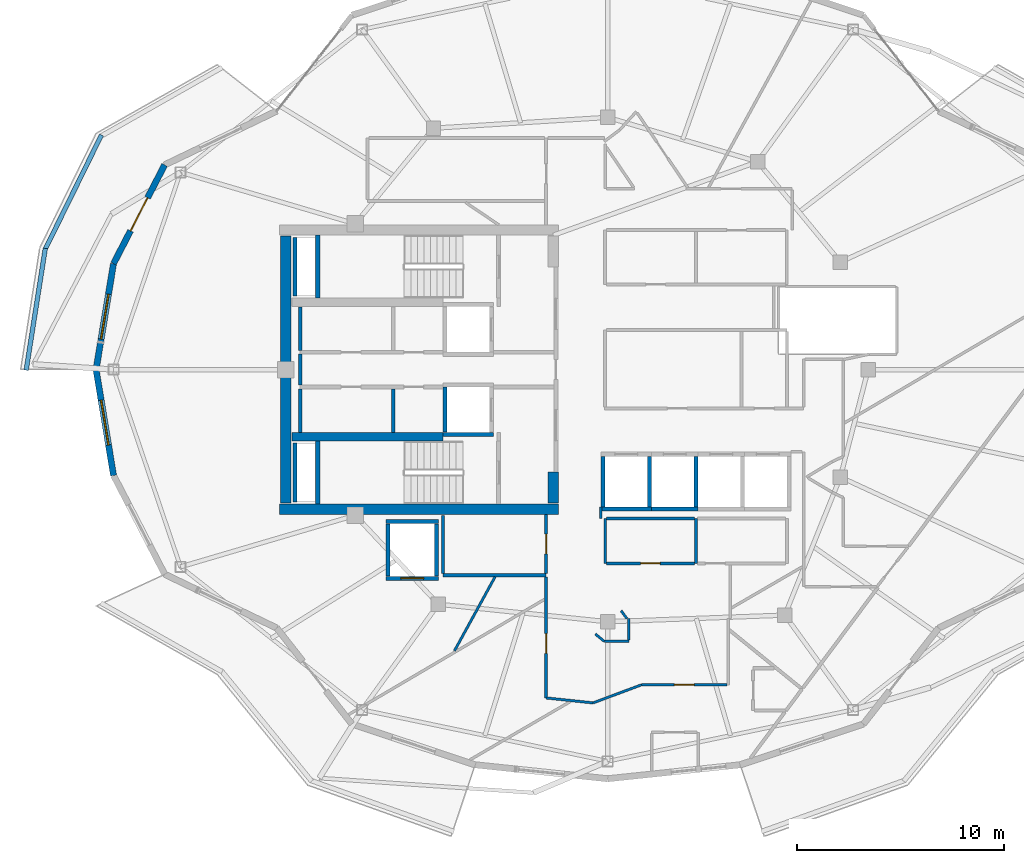
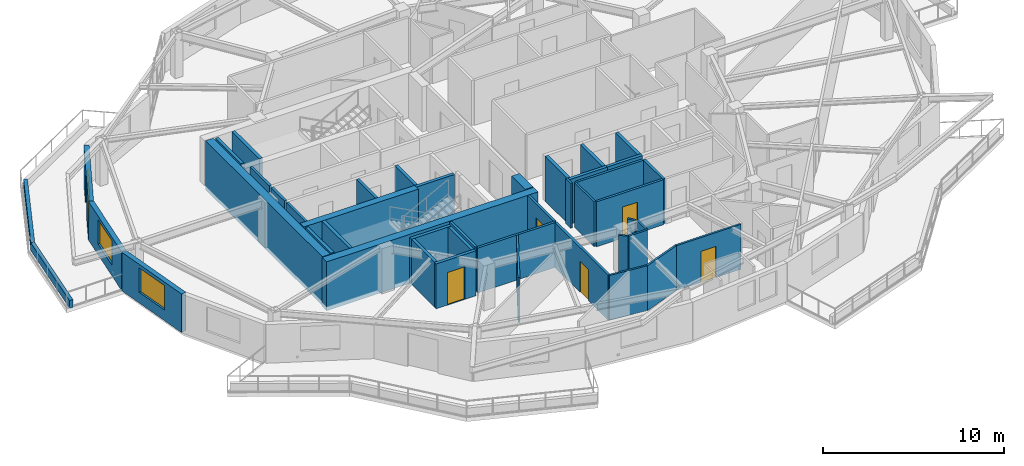
# One storey, part 5 of 12: 45 walls, 6 doors, 2 windows, 8 openings.
"""IFC4 building model written with IfcOpenShell, lengths in metres."""

import ifcopenshell
import ifcopenshell.guid

model = None  # the IFC model being written
_history = None  # IfcOwnerHistory: only IFC2X3 demands one
_inside = {}  # id of a spatial element -> (the spatial element, [elements in it])
_under = {}  # id of a project, library or spatial element -> (it, [spatial elements below it])
_declared = {}  # id of a project -> (the project, [libraries it declares])
_typed = {}  # id of a type object -> (the type object, [elements of that type])
_made_of = {}  # id of a material, layer set ... -> (it, [elements and type objects made of it])


def new_model(schema):
    """Start an empty IFC model of exactly this schema.

    Asked for "IFC4X3", IfcOpenShell would pick the latest addendum, in which some entities
    have other attributes; the version numbers below select the first issue.
    IFC2X3 requires an IfcOwnerHistory on every rooted entity: one is made here for all.
    """
    global model, _history
    if schema == "IFC4X3":
        model = ifcopenshell.file(schema_version=(4, 3, 0, 0))
    else:
        model = ifcopenshell.file(schema=schema)
    _inside.clear()
    _under.clear()
    _declared.clear()
    _typed.clear()
    _made_of.clear()
    _history = None
    if model.schema == "IFC2X3":
        org = make("IfcOrganization", Name="unknown")
        user = make(
            "IfcPersonAndOrganization",
            ThePerson=make("IfcPerson", FamilyName="unknown"),
            TheOrganization=org,
        )
        app = make(
            "IfcApplication",
            ApplicationDeveloper=org,
            Version="unknown",
            ApplicationFullName="unknown",
            ApplicationIdentifier="unknown",
        )
        _history = make(
            "IfcOwnerHistory",
            OwningUser=user,
            OwningApplication=app,
            ChangeAction="ADDED",
            CreationDate=0,
        )
    return model


def make(cls, **values):
    """One entity of the class cls with the attributes given. An attribute that is None is left unset."""
    return model.create_entity(
        cls, **{name: value for name, value in values.items() if value is not None}
    )


def rooted(cls, **values):
    """An entity with a GlobalId (a new one), such as an element, a storey or a relation."""
    return make(cls, GlobalId=ifcopenshell.guid.new(), OwnerHistory=_history, **values)


def si_unit(unit_type, name, prefix=None):
    """IfcSIUnit, for example si_unit("LENGTHUNIT", "METRE", prefix="MILLI")."""
    return make("IfcSIUnit", UnitType=unit_type, Prefix=prefix, Name=name)


def assignment(units):
    """IfcUnitAssignment: the units of a project."""
    return None if units is None else make("IfcUnitAssignment", Units=units)


def point(xyz):
    """IfcCartesianPoint."""
    return None if xyz is None else make("IfcCartesianPoint", Coordinates=xyz)


def direction(xyz):
    """IfcDirection."""
    return None if xyz is None else make("IfcDirection", DirectionRatios=xyz)


def frame(location, z_axis=None, x_axis=None):
    """IfcAxis2Placement3D, a coordinate frame: its origin and axes. An axis left out is left unset."""
    return make(
        "IfcAxis2Placement3D",
        Location=point(location),
        Axis=direction(z_axis),
        RefDirection=direction(x_axis),
    )


def frame_2d(location, x_axis=None):
    """IfcAxis2Placement2D, a coordinate frame in the plane: its origin and x axis."""
    return make(
        "IfcAxis2Placement2D", Location=point(location), RefDirection=direction(x_axis)
    )


def origin():
    """The frame at (0, 0, 0) with its axes left unset."""
    return frame((0.0, 0.0, 0.0))


def place(relative_to, where):
    """IfcLocalPlacement: puts the frame where relative to a parent placement (None: the world)."""
    return make(
        "IfcLocalPlacement", PlacementRelTo=relative_to, RelativePlacement=where
    )


def context(
    kind, dimensions, precision=None, world=None, true_north=None, identifier=None
):
    """IfcGeometricRepresentationContext, for example the 3D "Model" context."""
    return make(
        "IfcGeometricRepresentationContext",
        ContextIdentifier=identifier,
        ContextType=kind,
        CoordinateSpaceDimension=dimensions,
        Precision=precision,
        WorldCoordinateSystem=world,
        TrueNorth=true_north,
    )


def subcontext(parent, identifier, kind, view, scale=None):
    """IfcGeometricRepresentationSubContext, for example "Body" below "Model"."""
    return make(
        "IfcGeometricRepresentationSubContext",
        ContextIdentifier=identifier,
        ContextType=kind,
        ParentContext=parent,
        TargetScale=scale,
        TargetView=view,
    )


def project(units=None, contexts=None):
    """IfcProject with its units and contexts."""
    return rooted(
        "IfcProject",
        Name="project",
        RepresentationContexts=contexts,
        UnitsInContext=assignment(units),
    )


def spatial(cls, under=None, at=None, **own):
    """A site, building, storey or space (cls), placed at a placement, below another one or the project."""
    s = rooted(cls, ObjectPlacement=at, **own)
    if under is not None:
        _under.setdefault(under.id(), (under, []))[1].append(s)
    return s


def profile(cls, at=None, kind="AREA", **sizes):
    """A parametric profile (cls). Its sizes go by their IFC names, for example OverallWidth=200.0."""
    return make(cls, ProfileType=kind, Position=at, **sizes)


def rectangle(**sizes):
    """IfcRectangleProfileDef."""
    return profile("IfcRectangleProfileDef", **sizes)


def extrude(swept, where, along, depth):
    """IfcExtrudedAreaSolid: the profile swept, set in the frame where, extruded along a direction by depth."""
    return make(
        "IfcExtrudedAreaSolid",
        SweptArea=swept,
        Position=where,
        ExtrudedDirection=direction(along),
        Depth=depth,
    )


def shape(context_of_items, identifier, shape_type, items):
    """IfcShapeRepresentation: the items that make up one representation, for example the "Body"."""
    return make(
        "IfcShapeRepresentation",
        ContextOfItems=context_of_items,
        RepresentationIdentifier=identifier,
        RepresentationType=shape_type,
        Items=items,
    )


def material(Name=None, Category=None):
    """IfcMaterial."""
    return make("IfcMaterial", Name=Name, Category=Category)


def layer(
    of_material, thickness, ventilated=None, Name=None, Category=None, Priority=None
):
    """IfcMaterialLayer: one layer of a wall or slab, of a material (None: an air gap)."""
    return make(
        "IfcMaterialLayer",
        Material=of_material,
        LayerThickness=thickness,
        IsVentilated=ventilated,
        Name=Name,
        Category=Category,
        Priority=Priority,
    )


def layer_set(layers, Name=None):
    """IfcMaterialLayerSet."""
    return make("IfcMaterialLayerSet", MaterialLayers=layers, LayerSetName=Name)


def made_of(thing, what):
    """Note that an element or type object is made of a material, layer set ...; save() writes the relation."""
    if what is not None:
        _made_of.setdefault(what.id(), (what, []))[1].append(thing)
    return thing


def type_object(cls, material=None, **own):
    """A type object (cls), such as IfcWallType, which elements share."""
    return made_of(rooted(cls, **own), material)


def element(
    cls,
    number,
    at=None,
    inside=None,
    cuts=None,
    type_object=None,
    material=None,
    context=None,
    identifier="Body",
    shape_type=None,
    held_by="IfcProductDefinitionShape",
    body=None,
    shapes=None,
    **own,
):
    """One element of the class cls, such as IfcWall. Its Tag is "e" and its number.

    at: its placement. inside: the storey or other place that contains it. cuts: it is an
    opening in that element (IfcRelVoidsElement). A single representation is given by context,
    identifier, shape_type and body (its items); several are given by shapes. held_by: the class
    of the entity that holds the representations. save() writes the other relations.
    """
    e = rooted(cls, Tag="e%d" % number, ObjectPlacement=at, **own)
    if body is not None:
        shapes = [shape(context, identifier, shape_type, body)]
    if shapes is not None:
        e.Representation = make(held_by, Representations=shapes)
    if inside is not None:
        _inside.setdefault(inside.id(), (inside, []))[1].append(e)
    if cuts is not None:
        rooted(
            "IfcRelVoidsElement", RelatingBuildingElement=cuts, RelatedOpeningElement=e
        )
    if type_object is not None:
        _typed.setdefault(type_object.id(), (type_object, []))[1].append(e)
    return made_of(e, material)


def fill(opening, filler):
    """IfcRelFillsElement: the door or window that sits in an opening."""
    return rooted(
        "IfcRelFillsElement",
        RelatingOpeningElement=opening,
        RelatedBuildingElement=filler,
    )


def aggregate(whole, parts):
    """IfcRelAggregates: a whole, such as a stair, and the parts it consists of."""
    return rooted("IfcRelAggregates", RelatingObject=whole, RelatedObjects=parts)


def save(model, path):
    """Write the relations noted so far, then the file.

    IfcRelAggregates (storeys below a building ...), IfcRelContainedInSpatialStructure (elements
    in a storey), IfcRelDefinesByType, IfcRelAssociatesMaterial and IfcRelDeclares: one each for
    every whole, place, type object, material and project.
    """
    for whole, parts in _under.values():
        aggregate(whole, parts)
    for where, things in _inside.values():
        rooted(
            "IfcRelContainedInSpatialStructure",
            RelatedElements=things,
            RelatingStructure=where,
        )
    for kind, things in _typed.values():
        rooted("IfcRelDefinesByType", RelatedObjects=things, RelatingType=kind)
    for what, things in _made_of.values():
        rooted("IfcRelAssociatesMaterial", RelatedObjects=things, RelatingMaterial=what)
    for by, libraries in _declared.values():
        rooted("IfcRelDeclares", RelatingContext=by, RelatedDefinitions=libraries)
    model.write(path)


model = new_model("IFC4")

# Units and contexts
model_context = context("Model", 3, precision=1e-05, world=origin(), true_north=direction((0.0, 1.0)))
body_context = subcontext(model_context, "Body", "Model", "MODEL_VIEW")
ifc_project = project(units=[si_unit("LENGTHUNIT", "METRE"), si_unit("AREAUNIT", "SQUARE_METRE"), si_unit("VOLUMEUNIT", "CUBIC_METRE"), si_unit("PLANEANGLEUNIT", "RADIAN"), si_unit("MASSUNIT", "GRAM", prefix="KILO")], contexts=[model_context])

# Site, building, storey
site_placement = place(None, origin())
site = spatial("IfcSite", under=ifc_project, at=site_placement, CompositionType="ELEMENT")
building_placement = place(site_placement, origin())
building = spatial("IfcBuilding", under=site, at=building_placement, Name="Kolvaren Gate Tower and Convention Centre", CompositionType="ELEMENT")
storey_placement = place(building_placement, frame((0.0, 0.0, 199.699951171875)))
storey = spatial("IfcBuildingStorey", under=building, at=storey_placement, Name="L52", CompositionType="ELEMENT", Elevation=199.699951171875)

# Walls
ifc_material_1 = material(Name="Autoclaved Aerated Masonry Blockwork Class 4 (4.0 MPa)", Category="masonry")
ifc_layer_1 = layer(ifc_material_1, 0.179931640625)
ifc_layer_set_1 = layer_set([ifc_layer_1], Name="Autoclaved Aerated Masonry Blockwork Class 4 (4.0 MPa)")
wall_type_1 = type_object("IfcWallType", Name="ARCH-WL-COMP-180", PredefinedType="SOLIDWALL", material=ifc_layer_set_1)
wall_1_placement = place(storey_placement, frame((19.75, 23.9619140625, 0.0), z_axis=(0.0, 0.0, 1.0), x_axis=(0.0, 1.0, 0.0)))
element("IfcWall", 1, at=wall_1_placement, inside=storey, type_object=wall_type_1, Name="Interior Partition WL-L52-INT-007", PredefinedType="SOLIDWALL", context=body_context, shape_type="SweptSolid", body=[
    extrude(rectangle(XDim=2.106201171875, YDim=0.179931640625, at=frame_2d((1.05322265625, 0.0))), origin(), (0.0, 0.0, 1.0), 3.030029296875),
])
ifc_material_2 = material(Name="Fire-Rated Acoustic Gypsum Stud Partition", Category="gypsum")
ifc_layer_2 = layer(ifc_material_2, 0.1201171875)
ifc_layer_set_2 = layer_set([ifc_layer_2], Name="Fire-Rated Acoustic Gypsum Stud Partition")
wall_type_2 = type_object("IfcWallType", Name="ARCH-WL-PART-120", PredefinedType="PARTITIONING", material=ifc_layer_set_2)
wall_2_placement = place(storey_placement, frame((30.0, 17.6201171875, 0.0), z_axis=(0.0, 0.0, 1.0), x_axis=(0.0, 1.0, 0.0)))
element("IfcWall", 2, at=wall_2_placement, inside=storey, type_object=wall_type_2, Name="Interior Partition WL-L52-INT-014", PredefinedType="PARTITIONING", context=body_context, shape_type="SweptSolid", body=[
    extrude(rectangle(XDim=2.179931640625, YDim=0.1201171875, at=frame_2d((1.08984375, 0.0))), origin(), (0.0, 0.0, 1.0), 3.030029296875),
])
wall_3_placement = place(storey_placement, frame((29.780029296875, 19.800048828125, 0.0), z_axis=(0.0, 0.0, 1.0), x_axis=(0.0, 1.0, 0.0)))
element("IfcWall", 3, at=wall_3_placement, inside=storey, type_object=wall_type_2, Name="Interior Partition WL-L52-INT-052", PredefinedType="PARTITIONING", context=body_context, shape_type="SweptSolid", body=[
    extrude(rectangle(XDim=0.56005859375, YDim=0.1201171875, at=frame_2d((0.280029296875, 0.0))), origin(), (0.0, 0.0, 1.0), 3.030029296875),
])

# Wall, opening, door
wall_4_placement = place(storey_placement, frame((31.76611328125, 11.75, 0.0), z_axis=(0.0, 0.0, 1.0), x_axis=(1.0, 0.0, 0.0)))
wall_4 = element("IfcWall", 4, at=wall_4_placement, inside=storey, type_object=wall_type_2, Name="Interior Partition WL-L52-INT-055", PredefinedType="PARTITIONING", context=body_context, shape_type="SweptSolid", body=[
    extrude(rectangle(XDim=4.121826171875, YDim=0.1201171875, at=frame_2d((2.06103515625, 0.0))), origin(), (0.0, 0.0, 1.0), 3.030029296875),
])
opening_1_placement = place(wall_4_placement, frame((1.5859375, 0.0, 0.0)))
opening_1 = element("IfcOpeningElement", 5, at=opening_1_placement, cuts=wall_4, Name="Opening DR-01", PredefinedType="OPENING", context=body_context, shape_type="SweptSolid", body=[
    extrude(rectangle(XDim=0.949951171875, YDim=2.10009765625, at=frame_2d((0.47509765625, 1.050048828125))), frame((0.0, 0.070068359375, 0.0), z_axis=(0.0, -1.0, 0.0), x_axis=(1.0, 0.0, 0.0)), (0.0, 0.0, 1.0), 0.14013671875),
])
ifc_material_3 = material(Name="Painted Architectural Steelwork ASTM A500 Grade C 345 MPa", Category="steel")
door_type_1 = type_object("IfcDoorType", Name="ARCH-DR-RISER-950", OperationType="SINGLE_SWING_RIGHT", PredefinedType="DOOR", material=ifc_material_3)
door_1_placement = place(opening_1_placement, origin())
door_1 = element("IfcDoor", 6, at=door_1_placement, inside=storey, type_object=door_type_1, Name="Studio Apartment (APT-L52-01) Door", OperationType="SINGLE_SWING_RIGHT", OverallHeight=2.10009765625, OverallWidth=0.949951171875, PredefinedType="DOOR", context=body_context, shape_type="SweptSolid", body=[
    extrude(rectangle(XDim=0.949951171875, YDim=2.10009765625, at=frame_2d((0.47509765625, 1.050048828125))), frame((0.0, 0.02490234375, 0.0), z_axis=(0.0, -1.0, 0.0), x_axis=(1.0, 0.0, 0.0)), (0.0, 0.0, 1.0), 0.050048828125),
])
fill(opening_1, door_1)

# Walls
wall_5_placement = place(storey_placement, frame((29.41796875, 10.8740234375, 0.0), z_axis=(0.0, 0.0, 1.0), x_axis=(0.93692830581, 0.349521601294, 0.0)))
element("IfcWall", 7, at=wall_5_placement, inside=storey, type_object=wall_type_2, Name="Interior Partition WL-L52-INT-056", PredefinedType="PARTITIONING", context=body_context, shape_type="SweptSolid", body=[
    extrude(rectangle(XDim=2.506103515625, YDim=0.1201171875, at=frame_2d((1.2529296875, 0.0))), origin(), (0.0, 0.0, 1.0), 3.030029296875),
])
wall_6_placement = place(storey_placement, frame((27.14990234375, 11.113037109375, 0.0), z_axis=(0.0, 0.0, 1.0), x_axis=(0.994493127971, -0.104801805413, 0.0)))
element("IfcWall", 8, at=wall_6_placement, inside=storey, type_object=wall_type_2, Name="Interior Partition WL-L52-INT-057", PredefinedType="PARTITIONING", context=body_context, shape_type="SweptSolid", body=[
    extrude(rectangle(XDim=2.280517578125, YDim=0.1201171875, at=frame_2d((1.14013671875, 0.0))), origin(), (0.0, 0.0, 1.0), 3.030029296875),
])
wall_7_placement = place(storey_placement, frame((29.9599609375, 13.85009765625, 0.0), z_axis=(0.0, 0.0, 1.0), x_axis=(1.0, 0.0, 0.0)))
element("IfcWall", 9, at=wall_7_placement, inside=storey, type_object=wall_type_2, Name="Interior Partition WL-L52-INT-059", PredefinedType="PARTITIONING", context=body_context, shape_type="SweptSolid", body=[
    extrude(rectangle(XDim=1.18994140625, YDim=0.1201171875, at=frame_2d((0.594970703125, 0.0))), origin(), (0.0, 0.0, 1.0), 3.030029296875),
])
wall_8_placement = place(storey_placement, frame((31.14990234375, 13.912109375, 0.0), z_axis=(0.0, 0.0, 1.0), x_axis=(0.0, 1.0, 0.0)))
element("IfcWall", 10, at=wall_8_placement, inside=storey, type_object=wall_type_2, Name="Interior Partition WL-L52-INT-060", PredefinedType="PARTITIONING", context=body_context, shape_type="SweptSolid", body=[
    extrude(rectangle(XDim=1.037841796875, YDim=0.1201171875, at=frame_2d((0.51904296875, 0.0))), origin(), (0.0, 0.0, 1.0), 3.030029296875),
])
wall_9_placement = place(storey_placement, frame((30.77392578125, 15.3330078125, 0.0), z_axis=(0.0, 0.0, 1.0), x_axis=(0.595814974861, -0.803121731577, 0.0)))
element("IfcWall", 11, at=wall_9_placement, inside=storey, type_object=wall_type_2, Name="Interior Partition WL-L52-INT-061", PredefinedType="PARTITIONING", context=body_context, shape_type="SweptSolid", body=[
    extrude(rectangle(XDim=0.47705078125, YDim=0.1201171875, at=frame_2d((0.238525390625, 0.0))), origin(), (0.0, 0.0, 1.0), 3.030029296875),
])
wall_10_placement = place(storey_placement, frame((29.531005859375, 14.2060546875, 0.0), z_axis=(0.0, 0.0, 1.0), x_axis=(0.7695479554, -0.638589026166, 0.0)))
element("IfcWall", 12, at=wall_10_placement, inside=storey, type_object=wall_type_2, Name="Interior Partition WL-L52-INT-062", PredefinedType="PARTITIONING", context=body_context, shape_type="SweptSolid", body=[
    extrude(rectangle(XDim=0.557373046875, YDim=0.1201171875, at=frame_2d((0.27880859375, 0.0))), origin(), (0.0, 0.0, 1.0), 3.030029296875),
])
wall_11_placement = place(storey_placement, frame((22.712158203125, 13.3916015625, 0.0), z_axis=(0.0, 0.0, 1.0), x_axis=(0.480957116097, 0.876744120297, 0.0)))
element("IfcWall", 13, at=wall_11_placement, inside=storey, type_object=wall_type_2, Name="Interior Partition WL-L52-INT-075", PredefinedType="PARTITIONING", context=body_context, shape_type="SweptSolid", body=[
    extrude(rectangle(XDim=4.084716796875, YDim=0.1201171875, at=frame_2d((2.04248046875, 0.0))), origin(), (0.0, 0.0, 1.0), 3.030029296875),
])
ifc_material_4 = material(Name="Piedmont Cream Honed Limestone Cladding", Category="masonry")
ifc_layer_3 = layer(ifc_material_4, 0.219970703125)
ifc_layer_set_3 = layer_set([ifc_layer_3], Name="Piedmont Cream Honed Limestone Cladding")
wall_type_3 = type_object("IfcWallType", Name="ARCH-WL-PLANTER-220", PredefinedType="PARAPET", material=ifc_layer_set_3)
wall_12_placement = place(storey_placement, frame((2.905517578125, 32.8037109375, 0.0), z_axis=(0.0, 0.0, 1.0), x_axis=(0.441640961804, 0.897191875162, 0.0)))
element("IfcWall", 14, at=wall_12_placement, inside=storey, type_object=wall_type_3, Name="Vertical-Forest Balcony Stone Planter Kerb PK-L52-2.2", PredefinedType="PARAPET", context=body_context, shape_type="SweptSolid", body=[
    extrude(rectangle(XDim=6.17822265625, YDim=0.219970703125, at=frame_2d((3.089111328125, 0.0))), origin(), (0.0, 0.0, 1.0), 0.52001953125),
])
wall_13_placement = place(storey_placement, frame((1.993408203125, 26.970703125, 0.0), z_axis=(0.0, 0.0, 1.0), x_axis=(0.1550711793, 0.987903299595, 0.0)))
element("IfcWall", 15, at=wall_13_placement, inside=storey, type_object=wall_type_3, Name="Vertical-Forest Balcony Stone Planter Kerb PK-L52-2.3", PredefinedType="PARAPET", context=body_context, shape_type="SweptSolid", body=[
    extrude(rectangle(XDim=5.963623046875, YDim=0.219970703125, at=frame_2d((2.98193359375, 0.0))), origin(), (0.0, 0.0, 1.0), 0.52001953125),
])
ifc_layer_4 = layer(ifc_material_1, 0.199951171875)
ifc_layer_set_4 = layer_set([ifc_layer_4], Name="Autoclaved Aerated Masonry Blockwork Class 4 (4.0 MPa)")
wall_type_4 = type_object("IfcWallType", Name="ARCH-WL-SHAFT-200", PredefinedType="SOLIDWALL", material=ifc_layer_set_4)
wall_14_placement = place(storey_placement, frame((22.14990234375, 23.860107421875, 0.0), z_axis=(0.0, 0.0, 1.0), x_axis=(1.0, 0.0, 0.0)))
element("IfcWall", 16, at=wall_14_placement, inside=storey, type_object=wall_type_4, Name="Elevator FF-02 L52 Fire Shaft Wall S", PredefinedType="SOLIDWALL", context=body_context, shape_type="SweptSolid", body=[
    extrude(rectangle(XDim=2.4501953125, YDim=0.199951171875, at=frame_2d((1.22509765625, 0.0))), origin(), (0.0, 0.0, 1.0), 3.030029296875),
])
wall_15_placement = place(storey_placement, frame((22.25, 23.969970703125, 0.0), z_axis=(0.0, 0.0, 1.0), x_axis=(0.0, 1.0, 0.0)))
element("IfcWall", 17, at=wall_15_placement, inside=storey, type_object=wall_type_4, Name="Elevator FF-02 L52 Fire Shaft Wall W", PredefinedType="SOLIDWALL", context=body_context, shape_type="SweptSolid", body=[
    extrude(rectangle(XDim=2.179931640625, YDim=0.199951171875, at=frame_2d((1.08984375, 0.0))), origin(), (0.0, 0.0, 1.0), 3.030029296875),
])
wall_16_placement = place(storey_placement, frame((19.39990234375, 19.64990234375, 0.0), z_axis=(0.0, 0.0, 1.0), x_axis=(1.0, 0.0, 0.0)))
element("IfcWall", 18, at=wall_16_placement, inside=storey, type_object=wall_type_4, Name="Elevator SV-01 L52 Fire Shaft Wall N", PredefinedType="SOLIDWALL", context=body_context, shape_type="SweptSolid", body=[
    extrude(rectangle(XDim=2.550048828125, YDim=0.199951171875, at=frame_2d((1.27490234375, 0.0))), origin(), (0.0, 0.0, 1.0), 3.030029296875),
])

# Wall, opening, door
wall_17_placement = place(storey_placement, frame((19.39990234375, 16.89990234375, 0.0), z_axis=(0.0, 0.0, 1.0), x_axis=(1.0, 0.0, 0.0)))
wall_17 = element("IfcWall", 19, at=wall_17_placement, inside=storey, type_object=wall_type_4, Name="Elevator SV-01 L52 Fire Shaft Wall S", PredefinedType="SOLIDWALL", context=body_context, shape_type="SweptSolid", body=[
    extrude(rectangle(XDim=2.550048828125, YDim=0.199951171875, at=frame_2d((1.27490234375, 0.0))), origin(), (0.0, 0.0, 1.0), 3.030029296875),
])
opening_2_placement = place(wall_17_placement, frame((0.72509765625, 0.0, 0.0)))
opening_2 = element("IfcOpeningElement", 20, at=opening_2_placement, cuts=wall_17, Name="Opening LD", PredefinedType="OPENING", context=body_context, shape_type="SweptSolid", body=[
    extrude(rectangle(XDim=1.10009765625, YDim=2.199951171875, at=frame_2d((0.550048828125, 1.10009765625))), frame((0.0, 0.10986328125, 0.0), z_axis=(0.0, -1.0, 0.0), x_axis=(1.0, 0.0, 0.0)), (0.0, 0.0, 1.0), 0.219970703125),
])
ifc_material_5 = material(Name="Brushed Stainless Steel Grade 316L", Category="steel")
door_type_2 = type_object("IfcDoorType", Name="ARCH-DR-LIFT-1100", OperationType="SLIDING_TO_LEFT", PredefinedType="DOOR", material=ifc_material_5)
door_2_placement = place(opening_2_placement, origin())
door_2 = element("IfcDoor", 21, at=door_2_placement, inside=storey, type_object=door_type_2, Name="Elevator SV-01 L52 Sliding Landing Door", OperationType="SLIDING_TO_LEFT", OverallHeight=2.199951171875, OverallWidth=1.10009765625, PredefinedType="DOOR", context=body_context, shape_type="SweptSolid", body=[
    extrude(rectangle(XDim=1.10009765625, YDim=2.199951171875, at=frame_2d((0.550048828125, 1.10009765625))), frame((0.0, 0.02490234375, 0.0), z_axis=(0.0, -1.0, 0.0), x_axis=(1.0, 0.0, 0.0)), (0.0, 0.0, 1.0), 0.050048828125),
])
fill(opening_2, door_2)

# Walls
for number, where, z_axis, x_axis, name in (
    (22, (19.5, 17.010009765625, 0.0), (0.0, 0.0, 1.0), (0.0, 1.0, 0.0), "Elevator SV-01 L52 Fire Shaft Wall W"),
    (23, (21.85009765625, 17.010009765625, 0.0), (0.0, 0.0, 1.0), (0.0, 1.0, 0.0), "Elevator SV-01 L52 Fire Shaft Wall E"),
):
    element("IfcWall", number, at=place(storey_placement, frame(where, z_axis=z_axis, x_axis=x_axis)), inside=storey, type_object=wall_type_4, Name=name, PredefinedType="SOLIDWALL", context=body_context, shape_type="SweptSolid", body=[
        extrude(rectangle(XDim=2.530029296875, YDim=0.199951171875, at=frame_2d((1.26513671875, 0.0))), origin(), (0.0, 0.0, 1.0), 3.030029296875),
    ])
wall_18_placement = place(storey_placement, frame((29.800048828125, 20.25, 0.0), z_axis=(0.0, 0.0, 1.0), x_axis=(1.0, 0.0, 0.0)))
element("IfcWall", 24, at=wall_18_placement, inside=storey, type_object=wall_type_4, Name="Elevator PL-09 L52 Fire Shaft Wall S", PredefinedType="SOLIDWALL", context=body_context, shape_type="SweptSolid", body=[
    extrude(rectangle(XDim=2.449951171875, YDim=0.199951171875, at=frame_2d((1.22509765625, 0.0))), origin(), (0.0, 0.0, 1.0), 3.030029296875),
])
for number, where, z_axis, x_axis, name in (
    (25, (29.89990234375, 20.360107421875, 0.0), (0.0, 0.0, 1.0), (0.0, 1.0, 0.0), "Elevator PL-09 L52 Fire Shaft Wall W"),
    (26, (32.14990234375, 20.360107421875, 0.0), (0.0, 0.0, 1.0), (0.0, 1.0, 0.0), "Elevator PL-09 L52 Fire Shaft Wall E"),
):
    element("IfcWall", number, at=place(storey_placement, frame(where, z_axis=z_axis, x_axis=x_axis)), inside=storey, type_object=wall_type_4, Name=name, PredefinedType="SOLIDWALL", context=body_context, shape_type="SweptSolid", body=[
        extrude(rectangle(XDim=2.429931640625, YDim=0.199951171875, at=frame_2d((1.21484375, 0.0))), origin(), (0.0, 0.0, 1.0), 3.030029296875),
    ])
wall_19_placement = place(storey_placement, frame((32.25, 20.25, 0.0), z_axis=(0.0, 0.0, 1.0), x_axis=(1.0, 0.0, 0.0)))
element("IfcWall", 27, at=wall_19_placement, inside=storey, type_object=wall_type_4, Name="Elevator PL-10 L52 Fire Shaft Wall S", PredefinedType="SOLIDWALL", context=body_context, shape_type="SweptSolid", body=[
    extrude(rectangle(XDim=2.25, YDim=0.199951171875, at=frame_2d((1.125, 0.0))), origin(), (0.0, 0.0, 1.0), 3.030029296875),
])
wall_20_placement = place(storey_placement, frame((34.39990234375, 20.360107421875, 0.0), z_axis=(0.0, 0.0, 1.0), x_axis=(0.0, 1.0, 0.0)))
element("IfcWall", 28, at=wall_20_placement, inside=storey, type_object=wall_type_4, Name="Elevator PL-10 L52 Fire Shaft Wall E", PredefinedType="SOLIDWALL", context=body_context, shape_type="SweptSolid", body=[
    extrude(rectangle(XDim=2.429931640625, YDim=0.199951171875, at=frame_2d((1.21484375, 0.0))), origin(), (0.0, 0.0, 1.0), 3.030029296875),
])
for number, where, z_axis, x_axis, name in (
    (29, (14.989990234375, 30.550048828125, 0.0), (0.0, 0.0, 1.0), (0.0, 1.0, 0.0), "Vertical Shaft HVR L52 EI-120 Enclosure Wall W"),
    (30, (14.989990234375, 20.60009765625, 0.0), (0.0, 0.0, 1.0), (0.0, 1.0, 0.0), "Vertical Shaft MPR L52 EI-120 Enclosure Wall W"),
):
    element("IfcWall", number, at=place(storey_placement, frame(where, z_axis=z_axis, x_axis=x_axis)), inside=storey, type_object=wall_type_4, Name=name, PredefinedType="SOLIDWALL", context=body_context, shape_type="SweptSolid", body=[
        extrude(rectangle(XDim=2.849853515625, YDim=0.199951171875, at=frame_2d((1.4248046875, 0.0))), origin(), (0.0, 0.0, 1.0), 3.030029296875),
    ])

# Wall, opening, door
ifc_layer_5 = layer(ifc_material_4, 0.300048828125)
ifc_layer_set_5 = layer_set([ifc_layer_5], Name="Piedmont Cream Honed Limestone Cladding")
wall_type_5 = type_object("IfcWallType", Name="ARCH-WL-STONE-300", PredefinedType="SOLIDWALL", material=ifc_layer_set_5)
wall_21_placement = place(storey_placement, frame((6.21826171875, 32.12451171875, 0.0), z_axis=(0.0, 0.0, 1.0), x_axis=(0.459808219482, 0.888018243786, 0.0)))
wall_21 = element("IfcWall", 31, at=wall_21_placement, inside=storey, type_object=wall_type_5, Name="Tower L52 Honed Stone Spandrel Wall EW-10", PredefinedType="SOLIDWALL", context=body_context, shape_type="SweptSolid", body=[
    extrude(rectangle(XDim=5.377685546875, YDim=0.300048828125, at=frame_2d((2.68896484375, 0.0))), origin(), (0.0, 0.0, 1.0), 2.60498046875),
])
opening_3_placement = place(wall_21_placement, frame((1.7890625, 0.0, 0.0)))
opening_3 = element("IfcOpeningElement", 32, at=opening_3_placement, cuts=wall_21, Name="Opening DB-01", PredefinedType="OPENING", context=body_context, shape_type="SweptSolid", body=[
    extrude(rectangle(XDim=1.800048828125, YDim=2.25, at=frame_2d((0.89990234375, 1.125))), frame((0.0, 0.159912109375, 0.0), z_axis=(0.0, -1.0, 0.0), x_axis=(1.0, 0.0, 0.0)), (0.0, 0.0, 1.0), 0.320068359375),
])
ifc_material_6 = material(Name="Anodized Architectural Aluminium Alloy 6063-T6", Category="aluminium")
door_type_3 = type_object("IfcDoorType", Name="ARCH-DR-BALC-1800", OperationType="SLIDING_TO_LEFT", PredefinedType="DOOR", material=ifc_material_6)
door_3_placement = place(opening_3_placement, origin())
door_3 = element("IfcDoor", 33, at=door_3_placement, inside=storey, type_object=door_type_3, Name="Planted Sky Terrace Access Door DB-L52-10", OperationType="SLIDING_TO_LEFT", OverallHeight=2.25, OverallWidth=1.800048828125, PredefinedType="DOOR", context=body_context, shape_type="SweptSolid", body=[
    extrude(rectangle(XDim=1.800048828125, YDim=2.25, at=frame_2d((0.89990234375, 1.125))), frame((0.0, 0.02490234375, 0.0), z_axis=(0.0, -1.0, 0.0), x_axis=(1.0, 0.0, 0.0)), (0.0, 0.0, 1.0), 0.050048828125),
])
fill(opening_3, door_3)

# Wall, opening, window
wall_22_placement = place(storey_placement, frame((5.375, 27.0, 0.0), z_axis=(0.0, 0.0, 1.0), x_axis=(0.16237087798, 0.986729799886, 0.0)))
wall_22 = element("IfcWall", 34, at=wall_22_placement, inside=storey, type_object=wall_type_5, Name="Tower L52 Honed Stone Spandrel Wall EW-11", PredefinedType="SOLIDWALL", context=body_context, shape_type="SweptSolid", body=[
    extrude(rectangle(XDim=5.193359375, YDim=0.300048828125, at=frame_2d((2.5966796875, 0.0))), origin(), (0.0, 0.0, 1.0), 2.60498046875),
])
opening_4_placement = place(wall_22_placement, frame((1.4970703125, 0.0, 0.719970703125)))
opening_4 = element("IfcOpeningElement", 35, at=opening_4_placement, cuts=wall_22, Name="Opening W-03", PredefinedType="OPENING", context=body_context, shape_type="SweptSolid", body=[
    extrude(rectangle(XDim=2.199951171875, YDim=1.64990234375, at=frame_2d((1.10009765625, 0.824951171875))), frame((0.0, 0.159912109375, 0.0), z_axis=(0.0, -1.0, 0.0), x_axis=(1.0, 0.0, 0.0)), (0.0, 0.0, 1.0), 0.320068359375),
])
ifc_material_7 = material(Name="Low-E Triple Insulated Glazing Unit 44 mm", Category="glass")
window_type = type_object("IfcWindowType", Name="ARCH-WN-RES-2200", PartitioningType="SINGLE_PANEL", PredefinedType="WINDOW", material=ifc_material_7)
window_1_placement = place(opening_4_placement, origin())
window_1 = element("IfcWindow", 36, at=window_1_placement, inside=storey, type_object=window_type, Name="Tower L52 Punched Stone Facade Window W-11", OverallHeight=1.64990234375, OverallWidth=2.199951171875, PartitioningType="SINGLE_PANEL", PredefinedType="WINDOW", context=body_context, shape_type="SweptSolid", body=[
    extrude(rectangle(XDim=2.199951171875, YDim=1.64990234375, at=frame_2d((1.10009765625, 0.824951171875))), frame((0.0, 0.030029296875, 0.0), z_axis=(0.0, -1.0, 0.0), x_axis=(1.0, 0.0, 0.0)), (0.0, 0.0, 1.0), 0.06005859375),
])
fill(opening_4, window_1)

wall_23_placement = place(storey_placement, frame((5.375, 27.0, 0.0), z_axis=(0.0, 0.0, 1.0), x_axis=(0.16237087798, -0.986729799886, 0.0)))
wall_23 = element("IfcWall", 37, at=wall_23_placement, inside=storey, type_object=wall_type_5, Name="Tower L52 Honed Stone Spandrel Wall EW-12", PredefinedType="SOLIDWALL", context=body_context, shape_type="SweptSolid", body=[
    extrude(rectangle(XDim=5.193359375, YDim=0.300048828125, at=frame_2d((2.5966796875, 0.0))), origin(), (0.0, 0.0, 1.0), 2.60498046875),
])
opening_5_placement = place(wall_23_placement, frame((1.4970703125, 0.0, 0.719970703125)))
opening_5 = element("IfcOpeningElement", 38, at=opening_5_placement, cuts=wall_23, Name="Opening W-03", PredefinedType="OPENING", context=body_context, shape_type="SweptSolid", body=[
    extrude(rectangle(XDim=2.199951171875, YDim=1.64990234375, at=frame_2d((1.10009765625, 0.824951171875))), frame((0.0, 0.159912109375, 0.0), z_axis=(0.0, -1.0, 0.0), x_axis=(1.0, 0.0, 0.0)), (0.0, 0.0, 1.0), 0.320068359375),
])
window_2_placement = place(opening_5_placement, origin())
window_2 = element("IfcWindow", 39, at=window_2_placement, inside=storey, type_object=window_type, Name="Tower L52 Punched Stone Facade Window W-12", OverallHeight=1.64990234375, OverallWidth=2.199951171875, PartitioningType="SINGLE_PANEL", PredefinedType="WINDOW", context=body_context, shape_type="SweptSolid", body=[
    extrude(rectangle(XDim=2.199951171875, YDim=1.64990234375, at=frame_2d((1.10009765625, 0.824951171875))), frame((0.0, 0.030029296875, 0.0), z_axis=(0.0, -1.0, 0.0), x_axis=(1.0, 0.0, 0.0)), (0.0, 0.0, 1.0), 0.06005859375),
])
fill(opening_5, window_2)

# Walls
ifc_material_8 = material(Name="Moisture-Resistant Cement-Board Acoustic Partition", Category="gypsum")
ifc_layer_6 = layer(ifc_material_8, 0.14990234375)
ifc_layer_set_6 = layer_set([ifc_layer_6], Name="Moisture-Resistant Cement-Board Acoustic Partition")
wall_type_6 = type_object("IfcWallType", Name="ARCH-WL-WET-150", PredefinedType="PARTITIONING", material=ifc_layer_set_6)
wall_24_placement = place(storey_placement, frame((15.25, 23.9619140625, 0.0), z_axis=(0.0, 0.0, 1.0), x_axis=(0.0, 1.0, 0.0)))
element("IfcWall", 40, at=wall_24_placement, inside=storey, type_object=wall_type_6, Name="Interior Partition WL-L52-INT-006", PredefinedType="PARTITIONING", context=body_context, shape_type="SweptSolid", body=[
    extrude(rectangle(XDim=2.106201171875, YDim=0.14990234375, at=frame_2d((1.05322265625, 0.0))), origin(), (0.0, 0.0, 1.0), 3.030029296875),
])
wall_25_placement = place(storey_placement, frame((15.25, 26.251953125, 0.0), z_axis=(0.0, 0.0, 1.0), x_axis=(0.0, 1.0, 0.0)))
element("IfcWall", 41, at=wall_25_placement, inside=storey, type_object=wall_type_6, Name="Interior Partition WL-L52-INT-006 (2)", PredefinedType="PARTITIONING", context=body_context, shape_type="SweptSolid", body=[
    extrude(rectangle(XDim=1.49609375, YDim=0.14990234375, at=frame_2d((0.748046875, 0.0))), origin(), (0.0, 0.0, 1.0), 3.030029296875),
])
wall_26_placement = place(storey_placement, frame((15.25, 27.931884765625, 0.0), z_axis=(0.0, 0.0, 1.0), x_axis=(0.0, 1.0, 0.0)))
element("IfcWall", 42, at=wall_26_placement, inside=storey, type_object=wall_type_6, Name="Interior Partition WL-L52-INT-006 (3)", PredefinedType="PARTITIONING", context=body_context, shape_type="SweptSolid", body=[
    extrude(rectangle(XDim=2.106201171875, YDim=0.14990234375, at=frame_2d((1.05322265625, 0.0))), origin(), (0.0, 0.0, 1.0), 3.030029296875),
])
wall_27_placement = place(storey_placement, frame((22.14990234375, 17.050048828125, 0.0), z_axis=(0.0, 0.0, 1.0), x_axis=(1.0, 0.0, 0.0)))
element("IfcWall", 43, at=wall_27_placement, inside=storey, type_object=wall_type_6, Name="Interior Partition WL-L52-INT-009", PredefinedType="PARTITIONING", context=body_context, shape_type="SweptSolid", body=[
    extrude(rectangle(XDim=5.0, YDim=0.14990234375, at=frame_2d((2.5, 0.0))), origin(), (0.0, 0.0, 1.0), 3.030029296875),
])
wall_28_placement = place(storey_placement, frame((22.14990234375, 17.126953125, 0.0), z_axis=(0.0, 0.0, 1.0), x_axis=(0.0, 1.0, 0.0)))
element("IfcWall", 44, at=wall_28_placement, inside=storey, type_object=wall_type_6, Name="Interior Partition WL-L52-INT-010", PredefinedType="PARTITIONING", context=body_context, shape_type="SweptSolid", body=[
    extrude(rectangle(XDim=2.822998046875, YDim=0.14990234375, at=frame_2d((1.41162109375, 0.0))), origin(), (0.0, 0.0, 1.0), 3.030029296875),
])

# Wall, opening, door
wall_29_placement = place(storey_placement, frame((27.14990234375, 11.113037109375, 0.0), z_axis=(0.0, 0.0, 1.0), x_axis=(0.0, 1.0, 0.0)))
wall_29 = element("IfcWall", 45, at=wall_29_placement, inside=storey, type_object=wall_type_6, Name="Interior Partition WL-L52-INT-011", PredefinedType="PARTITIONING", context=body_context, shape_type="SweptSolid", body=[
    extrude(rectangle(XDim=5.85986328125, YDim=0.14990234375, at=frame_2d((2.929931640625, 0.0))), origin(), (0.0, 0.0, 1.0), 3.030029296875),
])
opening_6_placement = place(wall_29_placement, frame((2.15771484375, 0.0, 0.0)))
opening_6 = element("IfcOpeningElement", 46, at=opening_6_placement, cuts=wall_29, Name="Opening DR-01", PredefinedType="OPENING", context=body_context, shape_type="SweptSolid", body=[
    extrude(rectangle(XDim=0.949951171875, YDim=2.10009765625, at=frame_2d((0.47509765625, 1.050048828125))), frame((0.0, 0.0849609375, 0.0), z_axis=(0.0, -1.0, 0.0), x_axis=(1.0, 0.0, 0.0)), (0.0, 0.0, 1.0), 0.169921875),
])
door_4_placement = place(opening_6_placement, origin())
door_4 = element("IfcDoor", 47, at=door_4_placement, inside=storey, type_object=door_type_1, Name="Resident Private Study Door", OperationType="SINGLE_SWING_LEFT", OverallHeight=2.10009765625, OverallWidth=0.949951171875, PredefinedType="DOOR", context=body_context, shape_type="SweptSolid", body=[
    extrude(rectangle(XDim=0.949951171875, YDim=2.10009765625, at=frame_2d((0.47509765625, 1.050048828125))), frame((0.0, 0.02490234375, 0.0), z_axis=(0.0, -1.0, 0.0), x_axis=(1.0, 0.0, 0.0)), (0.0, 0.0, 1.0), 0.050048828125),
])
fill(opening_6, door_4)

wall_30_placement = place(storey_placement, frame((27.14990234375, 17.126953125, 0.0), z_axis=(0.0, 0.0, 1.0), x_axis=(0.0, 1.0, 0.0)))
wall_30 = element("IfcWall", 48, at=wall_30_placement, inside=storey, type_object=wall_type_6, Name="Interior Partition WL-L52-INT-011 (2)", PredefinedType="PARTITIONING", context=body_context, shape_type="SweptSolid", body=[
    extrude(rectangle(XDim=2.87109375, YDim=0.14990234375, at=frame_2d((1.435546875, 0.0))), origin(), (0.0, 0.0, 1.0), 3.030029296875),
])
opening_7_placement = place(wall_30_placement, frame((0.96044921875, 0.0, 0.0)))
opening_7 = element("IfcOpeningElement", 49, at=opening_7_placement, cuts=wall_30, Name="Opening DR-01", PredefinedType="OPENING", context=body_context, shape_type="SweptSolid", body=[
    extrude(rectangle(XDim=0.949951171875, YDim=2.10009765625, at=frame_2d((0.47509765625, 1.050048828125))), frame((0.0, 0.0849609375, 0.0), z_axis=(0.0, -1.0, 0.0), x_axis=(1.0, 0.0, 0.0)), (0.0, 0.0, 1.0), 0.169921875),
])
door_5_placement = place(opening_7_placement, origin())
door_5 = element("IfcDoor", 50, at=door_5_placement, inside=storey, type_object=door_type_1, Name="West Linen and Supply Store Door", OperationType="SINGLE_SWING_LEFT", OverallHeight=2.10009765625, OverallWidth=0.949951171875, PredefinedType="DOOR", context=body_context, shape_type="SweptSolid", body=[
    extrude(rectangle(XDim=0.949951171875, YDim=2.10009765625, at=frame_2d((0.47509765625, 1.050048828125))), frame((0.0, 0.02490234375, 0.0), z_axis=(0.0, -1.0, 0.0), x_axis=(1.0, 0.0, 0.0)), (0.0, 0.0, 1.0), 0.050048828125),
])
fill(opening_7, door_5)

# Wall
wall_31_placement = place(storey_placement, frame((34.39990234375, 17.6201171875, 0.0), z_axis=(0.0, 0.0, 1.0), x_axis=(0.0, 1.0, 0.0)))
element("IfcWall", 51, at=wall_31_placement, inside=storey, type_object=wall_type_6, Name="Interior Partition WL-L52-INT-025", PredefinedType="PARTITIONING", context=body_context, shape_type="SweptSolid", body=[
    extrude(rectangle(XDim=2.179931640625, YDim=0.14990234375, at=frame_2d((1.08984375, 0.0))), origin(), (0.0, 0.0, 1.0), 3.030029296875),
])

# Wall, opening, door
wall_32_placement = place(storey_placement, frame((30.06201171875, 17.6201171875, 0.0), z_axis=(0.0, 0.0, 1.0), x_axis=(1.0, 0.0, 0.0)))
wall_32 = element("IfcWall", 52, at=wall_32_placement, inside=storey, type_object=wall_type_6, Name="Interior Partition WL-L52-INT-027", PredefinedType="PARTITIONING", context=body_context, shape_type="SweptSolid", body=[
    extrude(rectangle(XDim=4.260986328125, YDim=0.14990234375, at=frame_2d((2.13037109375, 0.0))), origin(), (0.0, 0.0, 1.0), 3.030029296875),
])
opening_8_placement = place(wall_32_placement, frame((1.655517578125, 0.0, 0.0)))
opening_8 = element("IfcOpeningElement", 53, at=opening_8_placement, cuts=wall_32, Name="Opening DR-01", PredefinedType="OPENING", context=body_context, shape_type="SweptSolid", body=[
    extrude(rectangle(XDim=0.949951171875, YDim=2.10009765625, at=frame_2d((0.47509765625, 1.050048828125))), frame((0.0, 0.0849609375, 0.0), z_axis=(0.0, -1.0, 0.0), x_axis=(1.0, 0.0, 0.0)), (0.0, 0.0, 1.0), 0.169921875),
])
door_6_placement = place(opening_8_placement, origin())
door_6 = element("IfcDoor", 54, at=door_6_placement, inside=storey, type_object=door_type_1, Name="Resident Wine Pantry Door", OperationType="SINGLE_SWING_RIGHT", OverallHeight=2.10009765625, OverallWidth=0.949951171875, PredefinedType="DOOR", context=body_context, shape_type="SweptSolid", body=[
    extrude(rectangle(XDim=0.949951171875, YDim=2.10009765625, at=frame_2d((0.47509765625, 1.050048828125))), frame((0.0, 0.02490234375, 0.0), z_axis=(0.0, -1.0, 0.0), x_axis=(1.0, 0.0, 0.0)), (0.0, 0.0, 1.0), 0.050048828125),
])
fill(opening_8, door_6)

# Walls
wall_33_placement = place(storey_placement, frame((30.06201171875, 19.800048828125, 0.0), z_axis=(0.0, 0.0, 1.0), x_axis=(1.0, 0.0, 0.0)))
element("IfcWall", 55, at=wall_33_placement, inside=storey, type_object=wall_type_6, Name="Interior Partition WL-L52-INT-028", PredefinedType="PARTITIONING", context=body_context, shape_type="SweptSolid", body=[
    extrude(rectangle(XDim=4.260986328125, YDim=0.14990234375, at=frame_2d((2.13037109375, 0.0))), origin(), (0.0, 0.0, 1.0), 3.030029296875),
])
ifc_material_9 = material(Name="Concrete C50/60", Category="concrete")
ifc_layer_7 = layer(ifc_material_9, 0.419921875)
ifc_layer_set_7 = layer_set([ifc_layer_7], Name="Concrete C50/60")
wall_type_7 = type_object("IfcWallType", Name="STR-WL-CONV-420", PredefinedType="SHEAR", material=ifc_layer_set_7)
wall_34_placement = place(storey_placement, frame((14.85009765625, 23.75, -0.27001953125), z_axis=(0.0, 0.0, 1.0), x_axis=(1.0, 0.0, 0.0)))
element("IfcWall", 56, at=wall_34_placement, inside=storey, type_object=wall_type_7, Name="Tower L52 Offset Core Shear Wall WS", PredefinedType="SHEAR", context=body_context, shape_type="SweptSolid", body=[
    extrude(rectangle(XDim=7.2998046875, YDim=0.419921875, at=frame_2d((3.64990234375, 0.0))), origin(), (0.0, 0.0, 1.0), 3.300048828125),
])
ifc_layer_8 = layer(ifc_material_9, 0.5)
ifc_layer_set_8 = layer_set([ifc_layer_8], Name="Concrete C50/60")
wall_type_8 = type_object("IfcWallType", Name="STR-WL-CORE-500", PredefinedType="SHEAR", material=ifc_layer_set_8)
wall_35_placement = place(storey_placement, frame((14.25, 20.25, -0.27001953125), z_axis=(0.0, 0.0, 1.0), x_axis=(1.0, 0.0, 0.0)))
element("IfcWall", 57, at=wall_35_placement, inside=storey, type_object=wall_type_8, Name="Tower L52 Offset Core Shear Wall S", PredefinedType="SHEAR", context=body_context, shape_type="SweptSolid", body=[
    extrude(rectangle(XDim=13.5, YDim=0.5, at=frame_2d((6.75, 0.0))), origin(), (0.0, 0.0, 1.0), 3.300048828125),
])
wall_36_placement = place(storey_placement, frame((14.550048828125, 20.550048828125, -0.27001953125), z_axis=(0.0, 0.0, 1.0), x_axis=(0.0, 1.0, 0.0)))
element("IfcWall", 58, at=wall_36_placement, inside=storey, type_object=wall_type_8, Name="Tower L52 Offset Core Shear Wall W", PredefinedType="SHEAR", context=body_context, shape_type="SweptSolid", body=[
    extrude(rectangle(XDim=12.89990234375, YDim=0.5, at=frame_2d((6.449951171875, 0.0))), origin(), (0.0, 0.0, 1.0), 3.300048828125),
])
wall_37_placement = place(storey_placement, frame((27.5, 20.550048828125, -0.27001953125), z_axis=(0.0, 0.0, 1.0), x_axis=(0.0, 1.0, 0.0)))
element("IfcWall", 59, at=wall_37_placement, inside=storey, type_object=wall_type_8, Name="Tower L52 Offset Core Shear Wall ES", PredefinedType="SHEAR", context=body_context, shape_type="SweptSolid", body=[
    extrude(rectangle(XDim=1.5, YDim=0.5, at=frame_2d((0.75, 0.0))), origin(), (0.0, 0.0, 1.0), 3.300048828125),
])
ifc_layer_9 = layer(ifc_material_9, 0.199951171875)
ifc_layer_set_9 = layer_set([ifc_layer_9], Name="Concrete C50/60")
wall_type_9 = type_object("IfcWallType", Name="STR-WL-SHAFT-200", PredefinedType="SHEAR", material=ifc_layer_set_9)
for number, where, z_axis, x_axis, name in (
    (60, (16.10009765625, 30.4619140625, -0.27001953125), (0.0, 0.0, 1.0), (0.0, 1.0, 0.0), "Tower North Exit Stair ST-T1 L52 Structural Shear Enclosure Wall FAR"),
    (61, (16.10009765625, 20.501953125, -0.27001953125), (0.0, 0.0, 1.0), (0.0, 1.0, 0.0), "Tower South Exit Stair ST-T2 L52 Structural Shear Enclosure Wall FAR"),
):
    element("IfcWall", number, at=place(storey_placement, frame(where, z_axis=z_axis, x_axis=x_axis)), inside=storey, type_object=wall_type_9, Name=name, PredefinedType="SHEAR", context=body_context, shape_type="SweptSolid", body=[
        extrude(rectangle(XDim=3.0361328125, YDim=0.199951171875, at=frame_2d((1.51806640625, 0.0))), origin(), (0.0, 0.0, 1.0), 3.300048828125),
    ])

save(model, "model.ifc")
